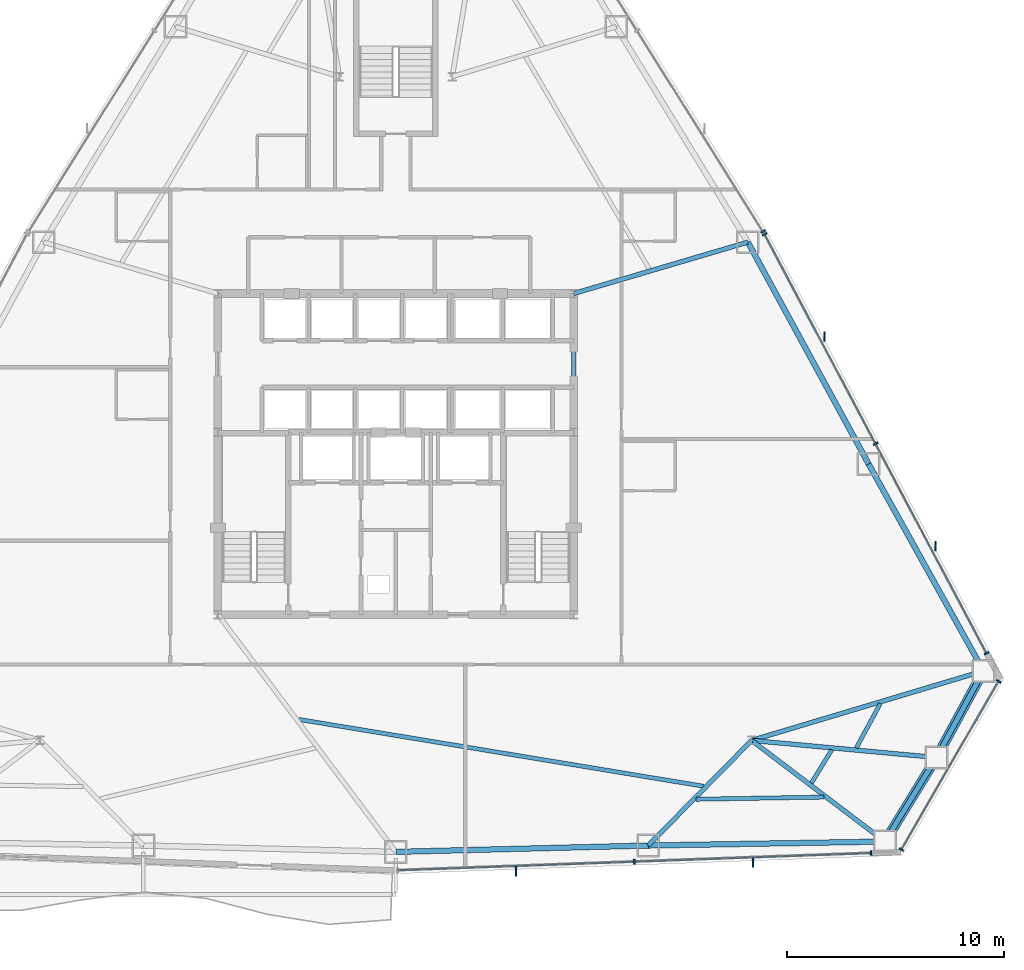
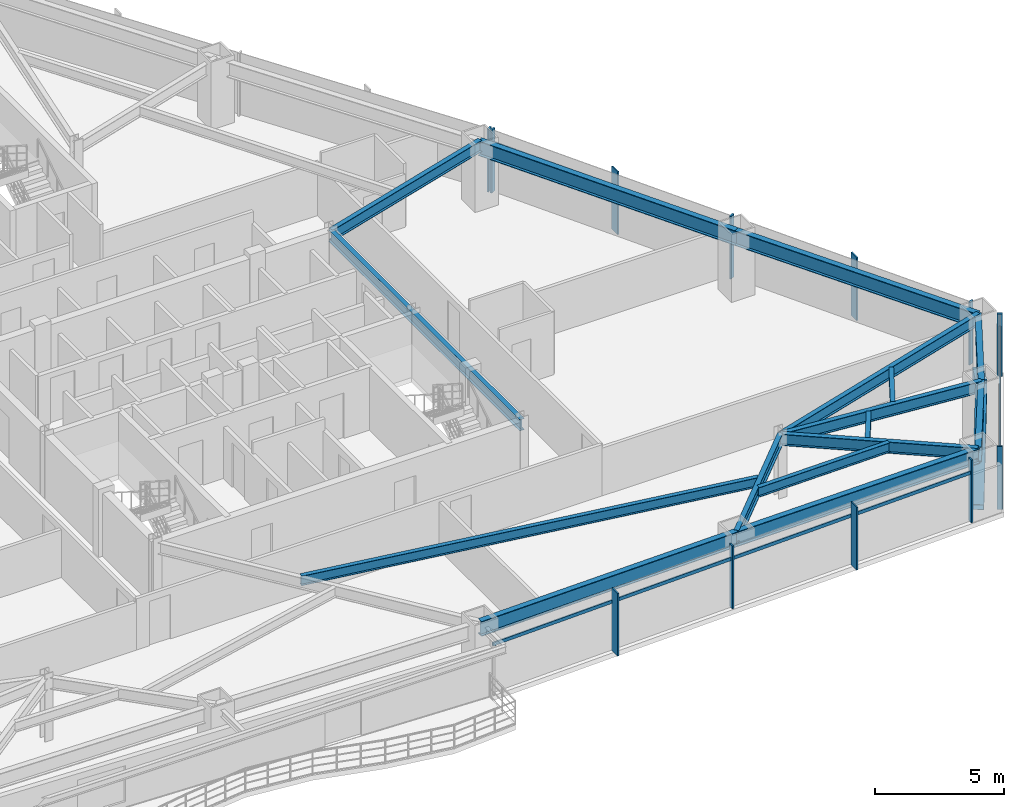
# One storey, part 6 of 13: 17 members, 16 beams, 4 elements without a shape of their own.
"""IFC4 building model written with IfcOpenShell, lengths in metres."""

from ifc_helpers import new_model, si_unit, direction, frame, origin, origin_2d, place, context, subcontext, project, spatial, rectangle, hollow_rectangle, i_section, extrude, source, transform, mapped, material, layer, layer_set, material_profile, profile_set, type_object, type_shapes, element, aggregate, save


model = new_model("IFC4")

# Units and contexts
model_context = context("Model", 3, precision=1e-05, world=origin(), true_north=direction((0.0, 1.0)))
body_context = subcontext(model_context, "Body", "Model", "MODEL_VIEW")
ifc_project = project(units=[si_unit("LENGTHUNIT", "METRE"), si_unit("AREAUNIT", "SQUARE_METRE"), si_unit("VOLUMEUNIT", "CUBIC_METRE"), si_unit("PLANEANGLEUNIT", "RADIAN"), si_unit("MASSUNIT", "GRAM", prefix="KILO")], contexts=[model_context])

# Site, building, storey
site_placement = place(None, origin())
site = spatial("IfcSite", under=ifc_project, at=site_placement, CompositionType="ELEMENT")
building_placement = place(site_placement, origin())
building = spatial("IfcBuilding", under=site, at=building_placement, Name="Varakhsha Concourse Tower", CompositionType="ELEMENT")
storey_placement = place(building_placement, frame((0.0, 0.0, 92.60009765625)))
storey = spatial("IfcBuildingStorey", under=building, at=storey_placement, Name="L26", CompositionType="ELEMENT", Elevation=92.60009765625)

# Beams
ifc_material_1 = material(Name="Structural Steel ASTM A992 Grade 50", Category="steel")
ifc_material_profile_1 = material_profile(ifc_material_1, i_section(OverallWidth=0.19091796875, OverallDepth=0.45703125, WebThickness=0.009033203125, FlangeThickness=0.013916015625, at=origin_2d()), Name="W18X50")
ifc_profile_set_1 = profile_set([ifc_material_profile_1], Name="Structural Steel ASTM A992 Grade 50")
beam_type_1 = type_object("IfcBeamType", Name="BM-JST-W18X50", PredefinedType="JOIST", material=ifc_profile_set_1)
beam_1_placement = place(storey_placement, frame((35.5166015625, 11.569091796875, 2.741455078125), z_axis=(0.986648558625, -0.162863813547, 0.0), x_axis=(0.162863813547, 0.986648558625, 0.0)))
element("IfcBeam", 1, at=beam_1_placement, inside=storey, type_object=beam_type_1, Name="BM-TJST-L26-11", PredefinedType="JOIST", context=body_context, shape_type="SweptSolid", body=[
    extrude(i_section(OverallWidth=0.19091796875, OverallDepth=0.45703125, WebThickness=0.009033203125, FlangeThickness=0.013916015625, at=origin_2d()), origin(), (0.0, 0.0, 1.0), 18.931396484375),
])
beam_2_placement = place(storey_placement, frame((53.842041015625, 7.88818359375, 2.741455078125), z_axis=(0.999859894616, 0.016738910883, 0.0), x_axis=(-0.016738910883, 0.999859894616, 0.0)))
element("IfcBeam", 2, at=beam_2_placement, inside=storey, type_object=beam_type_1, Name="BM-TJST-L26-12", PredefinedType="JOIST", context=body_context, shape_type="SweptSolid", body=[
    extrude(i_section(OverallWidth=0.19091796875, OverallDepth=0.45703125, WebThickness=0.009033203125, FlangeThickness=0.013916015625, at=origin_2d()), origin(), (0.0, 0.0, 1.0), 5.892333984375),
])
beam_3_placement = place(storey_placement, frame((59.1630859375, 8.64208984375, 2.741455078125), z_axis=(0.52272616907, 0.852500646433, 0.0), x_axis=(-0.852500646433, 0.52272616907, 0.0)))
element("IfcBeam", 3, at=beam_3_placement, inside=storey, type_object=beam_type_1, Name="BM-TJST-L26-13", PredefinedType="JOIST", context=body_context, shape_type="SweptSolid", body=[
    extrude(i_section(OverallWidth=0.19091796875, OverallDepth=0.45703125, WebThickness=0.009033203125, FlangeThickness=0.013916015625, at=origin_2d()), origin(), (0.0, 0.0, 1.0), 1.779052734375),
])
beam_4_placement = place(storey_placement, frame((61.2255859375, 10.25439453125, 2.741455078125), z_axis=(0.47708490889, 0.878857206667, 0.0), x_axis=(-0.878857206667, 0.47708490889, 0.0)))
element("IfcBeam", 4, at=beam_4_placement, inside=storey, type_object=beam_type_1, Name="BM-TJST-L26-14", PredefinedType="JOIST", context=body_context, shape_type="SweptSolid", body=[
    extrude(i_section(OverallWidth=0.19091796875, OverallDepth=0.45703125, WebThickness=0.009033203125, FlangeThickness=0.013916015625, at=origin_2d()), origin(), (0.0, 0.0, 1.0), 2.32421875),
])
ifc_material_profile_2 = material_profile(ifc_material_1, i_section(OverallWidth=0.2109375, OverallDepth=0.5390625, WebThickness=0.011962890625, FlangeThickness=0.01904296875, at=origin_2d()), Name="W21X73")
ifc_profile_set_2 = profile_set([ifc_material_profile_2], Name="Structural Steel ASTM A992 Grade 50")
beam_type_2 = type_object("IfcBeamType", Name="BM-RAD-W21X73", PredefinedType="BEAM", material=ifc_profile_set_2)
beam_5_placement = place(storey_placement, frame((48.199951171875, 16.39990234375, 2.700439453125), z_axis=(0.0, 1.0, 0.0), x_axis=(-1.0, 0.0, 0.0)))
element("IfcBeam", 5, at=beam_5_placement, inside=storey, type_object=beam_type_2, Name="BM-TCORE-L26-CE", PredefinedType="BEAM", context=body_context, shape_type="SweptSolid", body=[
    extrude(i_section(OverallWidth=0.2109375, OverallDepth=0.5390625, WebThickness=0.011962890625, FlangeThickness=0.01904296875, at=origin_2d()), origin(), (0.0, 0.0, 1.0), 14.800048828125),
])
beam_6_placement = place(storey_placement, frame((56.39990234375, 10.60009765625, 2.700439453125), z_axis=(-0.701063539326, -0.713098810704, 0.0), x_axis=(0.713098810704, -0.701063539326, 0.0)))
element("IfcBeam", 6, at=beam_6_placement, inside=storey, type_object=beam_type_2, Name="L26 Radial Floor Girder 12", PredefinedType="BEAM", context=body_context, shape_type="SweptSolid", body=[
    extrude(i_section(OverallWidth=0.2109375, OverallDepth=0.5390625, WebThickness=0.011962890625, FlangeThickness=0.01904296875, at=origin_2d()), origin(), (0.0, 0.0, 1.0), 6.795654296875),
])
beam_7_placement = place(storey_placement, frame((56.39990234375, 10.60009765625, 2.700439453125), z_axis=(0.79681521448, -0.604223066403, 0.0), x_axis=(0.604223066403, 0.79681521448, 0.0)))
element("IfcBeam", 7, at=beam_7_placement, inside=storey, type_object=beam_type_2, Name="L26 Radial Floor Girder 13", PredefinedType="BEAM", context=body_context, shape_type="SweptSolid", body=[
    extrude(i_section(OverallWidth=0.2109375, OverallDepth=0.5390625, WebThickness=0.011962890625, FlangeThickness=0.01904296875, at=origin_2d()), origin(), (0.0, 0.0, 1.0), 7.717529296875),
])
beam_8_placement = place(storey_placement, frame((56.39990234375, 10.60009765625, 2.700439453125), z_axis=(0.995734610944, -0.092263668731, 0.0), x_axis=(0.092263668731, 0.995734610944, 0.0)))
element("IfcBeam", 8, at=beam_8_placement, inside=storey, type_object=beam_type_2, Name="L26 Radial Floor Girder 14", PredefinedType="BEAM", context=body_context, shape_type="SweptSolid", body=[
    extrude(i_section(OverallWidth=0.2109375, OverallDepth=0.5390625, WebThickness=0.011962890625, FlangeThickness=0.01904296875, at=origin_2d()), origin(), (0.0, 0.0, 1.0), 8.560302734375),
])
beam_9_placement = place(storey_placement, frame((56.39990234375, 10.60009765625, 2.700439453125), z_axis=(0.957930379652, 0.287000675505, 0.0), x_axis=(-0.287000675505, 0.957930379652, 0.0)))
element("IfcBeam", 9, at=beam_9_placement, inside=storey, type_object=beam_type_2, Name="L26 Radial Floor Girder 15", PredefinedType="BEAM", context=body_context, shape_type="SweptSolid", body=[
    extrude(i_section(OverallWidth=0.2109375, OverallDepth=0.5390625, WebThickness=0.011962890625, FlangeThickness=0.01904296875, at=origin_2d()), origin(), (0.0, 0.0, 1.0), 11.16064453125),
])
beam_10_placement = place(storey_placement, frame((48.199951171875, 31.199951171875, 2.700439453125), z_axis=(0.959108264711, 0.283039461143, 0.0), x_axis=(-0.283039461143, 0.959108264711, 0.0)))
element("IfcBeam", 10, at=beam_10_placement, inside=storey, type_object=beam_type_2, Name="L26 Radial Floor Girder 17", PredefinedType="BEAM", context=body_context, shape_type="SweptSolid", body=[
    extrude(i_section(OverallWidth=0.2109375, OverallDepth=0.5390625, WebThickness=0.011962890625, FlangeThickness=0.01904296875, at=origin_2d()), origin(), (0.0, 0.0, 1.0), 8.370361328125),
])
ifc_material_profile_3 = material_profile(ifc_material_1, i_section(OverallWidth=0.25390625, OverallDepth=0.701904296875, WebThickness=0.014892578125, FlangeThickness=0.028076171875, at=origin_2d()), Name="W27X129")
ifc_profile_set_3 = profile_set([ifc_material_profile_3], Name="Structural Steel ASTM A992 Grade 50")
beam_type_3 = type_object("IfcBeamType", Name="BM-SPAN-W27X129", PredefinedType="SPANDREL", material=ifc_profile_set_3)
beam_11_placement = place(storey_placement, frame((40.0, 5.46142578125, 2.618896484375), z_axis=(0.99968370363, 0.025149407483, 0.0), x_axis=(-0.025149407483, 0.99968370363, 0.0)))
element("IfcBeam", 11, at=beam_11_placement, inside=storey, type_object=beam_type_3, Name="BM-SPAN-L26-11", PredefinedType="SPANDREL", context=body_context, shape_type="SweptSolid", body=[
    extrude(i_section(OverallWidth=0.25390625, OverallDepth=0.701904296875, WebThickness=0.014892578125, FlangeThickness=0.028076171875, at=origin_2d()), origin(), (0.0, 0.0, 1.0), 11.639404296875),
])
beam_12_placement = place(storey_placement, frame((51.6357421875, 5.754150390625, 2.618896484375), z_axis=(0.999859657794, 0.016753050953, 0.0), x_axis=(-0.016753050953, 0.999859657794, 0.0)))
element("IfcBeam", 12, at=beam_12_placement, inside=storey, type_object=beam_type_3, Name="BM-SPAN-L26-12", PredefinedType="SPANDREL", context=body_context, shape_type="SweptSolid", body=[
    extrude(i_section(OverallWidth=0.25390625, OverallDepth=0.701904296875, WebThickness=0.014892578125, FlangeThickness=0.028076171875, at=origin_2d()), origin(), (0.0, 0.0, 1.0), 10.9150390625),
])
beam_13_placement = place(storey_placement, frame((62.54931640625, 5.93701171875, 2.618896484375), z_axis=(0.522612462801, 0.852570357053, 0.0), x_axis=(-0.852570357053, 0.522612462801, 0.0)))
element("IfcBeam", 13, at=beam_13_placement, inside=storey, type_object=beam_type_3, Name="BM-SPAN-L26-13", PredefinedType="SPANDREL", context=body_context, shape_type="SweptSolid", body=[
    extrude(i_section(OverallWidth=0.25390625, OverallDepth=0.701904296875, WebThickness=0.014892578125, FlangeThickness=0.028076171875, at=origin_2d()), origin(), (0.0, 0.0, 1.0), 4.54296875),
])
beam_14_placement = place(storey_placement, frame((64.923583984375, 9.810302734375, 2.618896484375), z_axis=(0.47707407482, 0.878863087821, 0.0), x_axis=(-0.878863087821, 0.47707407482, 0.0)))
element("IfcBeam", 14, at=beam_14_placement, inside=storey, type_object=beam_type_3, Name="BM-SPAN-L26-14", PredefinedType="SPANDREL", context=body_context, shape_type="SweptSolid", body=[
    extrude(i_section(OverallWidth=0.25390625, OverallDepth=0.701904296875, WebThickness=0.014892578125, FlangeThickness=0.028076171875, at=origin_2d()), origin(), (0.0, 0.0, 1.0), 4.543212890625),
])
beam_15_placement = place(storey_placement, frame((67.091064453125, 13.80322265625, 2.618896484375), z_axis=(-0.485437813763, 0.874271198753, 0.0), x_axis=(-0.874271198753, -0.485437813763, 0.0)))
element("IfcBeam", 15, at=beam_15_placement, inside=storey, type_object=beam_type_3, Name="BM-SPAN-L26-15", PredefinedType="SPANDREL", context=body_context, shape_type="SweptSolid", body=[
    extrude(i_section(OverallWidth=0.25390625, OverallDepth=0.701904296875, WebThickness=0.014892578125, FlangeThickness=0.028076171875, at=origin_2d()), origin(), (0.0, 0.0, 1.0), 10.9150390625),
])
beam_16_placement = place(storey_placement, frame((61.79248046875, 23.345947265625, 2.618896484375), z_axis=(-0.478070108108, 0.878321678962, 0.0), x_axis=(-0.878321678962, -0.478070108108, 0.0)))
element("IfcBeam", 16, at=beam_16_placement, inside=storey, type_object=beam_type_3, Name="BM-SPAN-L26-16", PredefinedType="SPANDREL", context=body_context, shape_type="SweptSolid", body=[
    extrude(i_section(OverallWidth=0.25390625, OverallDepth=0.701904296875, WebThickness=0.014892578125, FlangeThickness=0.028076171875, at=origin_2d()), origin(), (0.0, 0.0, 1.0), 11.639404296875),
])

# Members
ifc_material_2 = material(Name="Structural Steel ASTM A500 Grade C", Category="steel")
ifc_material_profile_4 = material_profile(ifc_material_2, hollow_rectangle(XDim=0.449951171875, YDim=0.449951171875, WallThickness=0.01904296875, at=origin_2d()), Name="HSS 450x450x19")
ifc_profile_set_4 = profile_set([ifc_material_profile_4], Name="Structural Steel ASTM A500 Grade C")
member_type_1 = type_object("IfcMemberType", Name="MB-TUBE-HSS450", PredefinedType="BRACE", material=ifc_profile_set_4)
shared_shape_1 = source(origin(), body_context, "Body", "SweptSolid", [
    extrude(hollow_rectangle(XDim=0.449951171875, YDim=0.449951171875, WallThickness=0.01904296875, at=origin_2d()), origin(), (0.0, 0.0, 1.0), 5.209716796875),
])
member_1_placement = place(storey_placement, frame((62.54931640625, 5.93701171875, 0.119873046875), z_axis=(0.455728834784, 0.743458916591, 0.48946917011), x_axis=(-0.852570357053, 0.522612462801, 0.0)))
element("IfcMember", 17, at=member_1_placement, inside=storey, type_object=member_type_1, Name="L26 Wind-Corner Tube Brace B05", PredefinedType="BRACE", context=body_context, shape_type="MappedRepresentation", body=[
    mapped(shared_shape_1, transform((0.0, 0.0, 0.0), scale=1.0)),
])
shared_shape_2 = source(origin(), body_context, "Body", "SweptSolid", [
    extrude(hollow_rectangle(XDim=0.449951171875, YDim=0.449951171875, WallThickness=0.01904296875, at=origin_2d()), origin(), (0.0, 0.0, 1.0), 5.2099609375),
])
type_shapes(member_type_1, [shared_shape_1, shared_shape_2])
member_2_placement = place(storey_placement, frame((67.091064453125, 13.80322265625, 0.119873046875), z_axis=(-0.416022891855, -0.766394953401, 0.489452478647), x_axis=(0.878863087821, -0.47707407482, 0.0)))
element("IfcMember", 18, at=member_2_placement, inside=storey, type_object=member_type_1, Name="L26 Wind-Corner Tube Brace B06", PredefinedType="BRACE", context=body_context, shape_type="MappedRepresentation", body=[
    mapped(shared_shape_2, transform((0.0, 0.0, 0.0), scale=1.0)),
])

# Curtain wall, members
ifc_material_3 = material(Name="Anodised Bronze Architectural Aluminium AA 6063-T6", Category="aluminium")
ifc_layer = layer(ifc_material_3, 0.199951171875, Name="CW-SYS-03")
ifc_layer_set = layer_set([ifc_layer], Name="Anodised Bronze Architectural Aluminium AA 6063-T6")
curtain_wall_type = type_object("IfcCurtainWallType", Name="CW-SYS-03", PredefinedType="NOTDEFINED", material=ifc_layer_set)
curtain_wall_1_placement = place(storey_placement, origin())
curtain_wall_1 = element("IfcCurtainWall", 19, at=curtain_wall_1_placement, inside=storey, type_object=curtain_wall_type, Name="L26 Crystal Curtain Wall F6", PredefinedType="NOTDEFINED")
ifc_material_profile_5 = material_profile(ifc_material_3, rectangle(XDim=0.074951171875, YDim=0.219970703125, at=origin_2d()), Name="CWM-220X75")
ifc_profile_set_5 = profile_set([ifc_material_profile_5], Name="Anodised Bronze Architectural Aluminium AA 6063-T6")
member_type_2 = type_object("IfcMemberType", Name="CWM-220X75", PredefinedType="MULLION", material=ifc_profile_set_5)
shared_shape_3 = source(origin(), body_context, "Body", "SweptSolid", [
    extrude(rectangle(XDim=0.074951171875, YDim=0.219970703125, at=origin_2d()), origin(), (0.0, 0.0, 1.0), 2.969970703125),
])
type_shapes(member_type_2, [shared_shape_3])
member_3_placement = place(storey_placement, frame((61.910888671875, 5.408203125, 0.0), z_axis=(0.0, 0.0, 1.0), x_axis=(-0.999336427987, -0.03642394403, 0.0)))
member_3 = element("IfcMember", 20, at=member_3_placement, type_object=member_type_2, Name="CW-L26-F6 Mullion 00", PredefinedType="MULLION", context=body_context, shape_type="MappedRepresentation", body=[
    mapped(shared_shape_3, transform((0.0, 0.0, 0.0), scale=1.0)),
])
member_4_placement = place(storey_placement, frame((50.992431640625, 5.01025390625, 0.0), z_axis=(0.0, 0.0, 1.0), x_axis=(-0.999336427987, -0.03642394403, 0.0)))
member_4 = element("IfcMember", 21, at=member_4_placement, type_object=member_type_2, Name="CW-L26-F6 Mullion 01", PredefinedType="MULLION", context=body_context, shape_type="MappedRepresentation", body=[
    mapped(shared_shape_3, transform((0.0, 0.0, 0.0), scale=1.0)),
])

curtain_wall_2_placement = place(storey_placement, origin())
curtain_wall_2 = element("IfcCurtainWall", 22, at=curtain_wall_2_placement, inside=storey, type_object=curtain_wall_type, Name="L26 Chamfer Curtain Wall F7", PredefinedType="NOTDEFINED")
member_5_placement = place(storey_placement, frame((67.787109375, 13.330078125, 0.0), z_axis=(0.0, 0.0, 1.0), x_axis=(-0.5, -0.866025403784, 0.0)))
member_5 = element("IfcMember", 23, at=member_5_placement, type_object=member_type_2, Name="CW-L26-F7 Mullion 00", PredefinedType="MULLION", context=body_context, shape_type="MappedRepresentation", body=[
    mapped(shared_shape_3, transform((0.0, 0.0, 0.0), scale=1.0)),
])
member_6_placement = place(storey_placement, frame((63.30712890625, 5.570556640625, 0.0), z_axis=(0.0, 0.0, 1.0), x_axis=(-0.5, -0.866025403784, 0.0)))
member_6 = element("IfcMember", 24, at=member_6_placement, type_object=member_type_2, Name="CW-L26-F7 Mullion 01", PredefinedType="MULLION", context=body_context, shape_type="MappedRepresentation", body=[
    mapped(shared_shape_3, transform((0.0, 0.0, 0.0), scale=1.0)),
])

curtain_wall_3_placement = place(storey_placement, origin())
curtain_wall_3 = element("IfcCurtainWall", 25, at=curtain_wall_3_placement, inside=storey, type_object=curtain_wall_type, Name="L26 Crystal Curtain Wall F8", PredefinedType="NOTDEFINED")
member_7_placement = place(storey_placement, frame((57.00048828125, 33.9296875, 0.0), z_axis=(0.0, 0.0, 1.0), x_axis=(0.468124153157, -0.883662705579, 0.0)))
member_7 = element("IfcMember", 26, at=member_7_placement, type_object=member_type_2, Name="CW-L26-F8 Mullion 00", PredefinedType="MULLION", context=body_context, shape_type="MappedRepresentation", body=[
    mapped(shared_shape_3, transform((0.0, 0.0, 0.0), scale=1.0)),
])
member_8_placement = place(storey_placement, frame((62.114990234375, 24.275146484375, 0.0), z_axis=(0.0, 0.0, 1.0), x_axis=(0.468124153157, -0.883662705579, 0.0)))
member_8 = element("IfcMember", 27, at=member_8_placement, type_object=member_type_2, Name="CW-L26-F8 Mullion 01", PredefinedType="MULLION", context=body_context, shape_type="MappedRepresentation", body=[
    mapped(shared_shape_3, transform((0.0, 0.0, 0.0), scale=1.0)),
])
member_9_placement = place(storey_placement, frame((67.2294921875, 14.62060546875, 0.0), z_axis=(0.0, 0.0, 1.0), x_axis=(0.468124153157, -0.883662705579, 0.0)))
member_9 = element("IfcMember", 28, at=member_9_placement, type_object=member_type_2, Name="CW-L26-F8 Mullion 02", PredefinedType="MULLION", context=body_context, shape_type="MappedRepresentation", body=[
    mapped(shared_shape_3, transform((0.0, 0.0, 0.0), scale=1.0)),
])

# Curtain wall, member
curtain_wall_4_placement = place(storey_placement, origin())
curtain_wall_4 = element("IfcCurtainWall", 29, at=curtain_wall_4_placement, inside=storey, type_object=curtain_wall_type, Name="L26 Crystal Curtain Wall F9", PredefinedType="NOTDEFINED")
member_10_placement = place(storey_placement, frame((56.92626953125, 34.05810546875, 0.0), z_axis=(0.0, 0.0, 1.0), x_axis=(0.531209317405, -0.847240615824, 0.0)))
member_10 = element("IfcMember", 30, at=member_10_placement, type_object=member_type_2, Name="CW-L26-F9 Mullion 02", PredefinedType="MULLION", context=body_context, shape_type="MappedRepresentation", body=[
    mapped(shared_shape_3, transform((0.0, 0.0, 0.0), scale=1.0)),
])
aggregate(curtain_wall_4, [member_10])

# Member
ifc_material_profile_6 = material_profile(ifc_material_3, rectangle(XDim=0.06494140625, YDim=0.449951171875, at=origin_2d()), Name="FIN-BRZ-450")
ifc_profile_set_6 = profile_set([ifc_material_profile_6], Name="Anodised Bronze Architectural Aluminium AA 6063-T6")
member_type_3 = type_object("IfcMemberType", Name="FIN-BRZ-450", PredefinedType="USERDEFINED", material=ifc_profile_set_6)
shared_shape_4 = source(origin(), body_context, "Body", "SweptSolid", [
    extrude(rectangle(XDim=0.06494140625, YDim=0.449951171875, at=origin_2d()), origin(), (0.0, 0.0, 1.0), 2.969970703125),
])
type_shapes(member_type_3, [shared_shape_4])
member_11_placement = place(storey_placement, frame((56.46044921875, 4.969482421875, 0.0), z_axis=(0.0, 0.0, 1.0), x_axis=(1.0, 0.0, 0.0)))
member_11 = element("IfcMember", 31, at=member_11_placement, type_object=member_type_3, Name="L26 Anodised Bronze Solar Fin F6-1", ObjectType="SOLAR FIN", PredefinedType="USERDEFINED", context=body_context, shape_type="MappedRepresentation", body=[
    mapped(shared_shape_4, transform((0.0, 0.0, 0.0), scale=1.0)),
])

member_12_placement = place(storey_placement, frame((45.5419921875, 4.5712890625, 0.0), z_axis=(0.0, 0.0, 1.0), x_axis=(1.0, 0.0, 0.0)))
member_12 = element("IfcMember", 32, at=member_12_placement, type_object=member_type_3, Name="L26 Anodised Bronze Solar Fin F6-2", ObjectType="SOLAR FIN", PredefinedType="USERDEFINED", context=body_context, shape_type="MappedRepresentation", body=[
    mapped(shared_shape_4, transform((0.0, 0.0, 0.0), scale=1.0)),
])

member_13_placement = place(storey_placement, frame((59.77001953125, 29.214599609375, 0.0), z_axis=(0.0, 0.0, 1.0), x_axis=(1.0, 0.0, 0.0)))
member_13 = element("IfcMember", 33, at=member_13_placement, type_object=member_type_3, Name="L26 Anodised Bronze Solar Fin F8-1", ObjectType="SOLAR FIN", PredefinedType="USERDEFINED", context=body_context, shape_type="MappedRepresentation", body=[
    mapped(shared_shape_4, transform((0.0, 0.0, 0.0), scale=1.0)),
])

member_14_placement = place(storey_placement, frame((64.884521484375, 19.56005859375, 0.0), z_axis=(0.0, 0.0, 1.0), x_axis=(1.0, 0.0, 0.0)))
member_14 = element("IfcMember", 34, at=member_14_placement, type_object=member_type_3, Name="L26 Anodised Bronze Solar Fin F8-2", ObjectType="SOLAR FIN", PredefinedType="USERDEFINED", context=body_context, shape_type="MappedRepresentation", body=[
    mapped(shared_shape_4, transform((0.0, 0.0, 0.0), scale=1.0)),
])

ifc_material_profile_7 = material_profile(ifc_material_3, rectangle(XDim=0.06494140625, YDim=0.159912109375, at=origin_2d()), Name="CWT-160X65")
ifc_profile_set_7 = profile_set([ifc_material_profile_7], Name="Anodised Bronze Architectural Aluminium AA 6063-T6")
member_type_4 = type_object("IfcMemberType", Name="CWT-160X65", PredefinedType="USERDEFINED", material=ifc_profile_set_7)
shared_shape_5 = source(origin(), body_context, "Body", "SweptSolid", [
    extrude(rectangle(XDim=0.06494140625, YDim=0.159912109375, at=origin_2d()), origin(), (0.0, 0.0, 1.0), 8.9599609375),
])
member_15_placement = place(storey_placement, frame((67.787109375, 13.330078125, 2.31982421875), z_axis=(-0.500001561196, -0.866024502425, 0.0), x_axis=(0.866024502425, -0.500001561196, 0.0)))
member_15 = element("IfcMember", 35, at=member_15_placement, type_object=member_type_4, Name="CW-L26-F7 Transom 01", ObjectType="TRANSOM", PredefinedType="USERDEFINED", context=body_context, shape_type="MappedRepresentation", body=[
    mapped(shared_shape_5, transform((0.0, 0.0, 0.0), scale=1.0)),
])

aggregate(curtain_wall_2, [member_5, member_6, member_15])

shared_shape_6 = source(origin(), body_context, "Body", "SweptSolid", [
    extrude(rectangle(XDim=0.06494140625, YDim=0.159912109375, at=origin_2d()), origin(), (0.0, 0.0, 1.0), 21.85107421875),
])
type_shapes(member_type_4, [shared_shape_5, shared_shape_6])
member_16_placement = place(storey_placement, frame((61.910888671875, 5.408203125, 2.31982421875), z_axis=(-0.999336440224, -0.036423608277, 0.0), x_axis=(0.036423608277, -0.999336440224, 0.0)))
member_16 = element("IfcMember", 36, at=member_16_placement, type_object=member_type_4, Name="CW-L26-F6 Transom 01", ObjectType="TRANSOM", PredefinedType="USERDEFINED", context=body_context, shape_type="MappedRepresentation", body=[
    mapped(shared_shape_6, transform((0.0, 0.0, 0.0), scale=1.0)),
])

aggregate(curtain_wall_1, [member_3, member_4, member_16, member_11, member_12])

member_17_placement = place(storey_placement, frame((57.00048828125, 33.9296875, 2.31982421875), z_axis=(0.468121791174, -0.883663956846, 0.0), x_axis=(0.883663956846, 0.468121791174, 0.0)))
member_17 = element("IfcMember", 37, at=member_17_placement, type_object=member_type_4, Name="CW-L26-F8 Transom 01", ObjectType="TRANSOM", PredefinedType="USERDEFINED", context=body_context, shape_type="MappedRepresentation", body=[
    mapped(shared_shape_6, transform((0.0, 0.0, 0.0), scale=1.0)),
])

aggregate(curtain_wall_3, [member_7, member_8, member_9, member_17, member_13, member_14])

save(model, "model.ifc")
